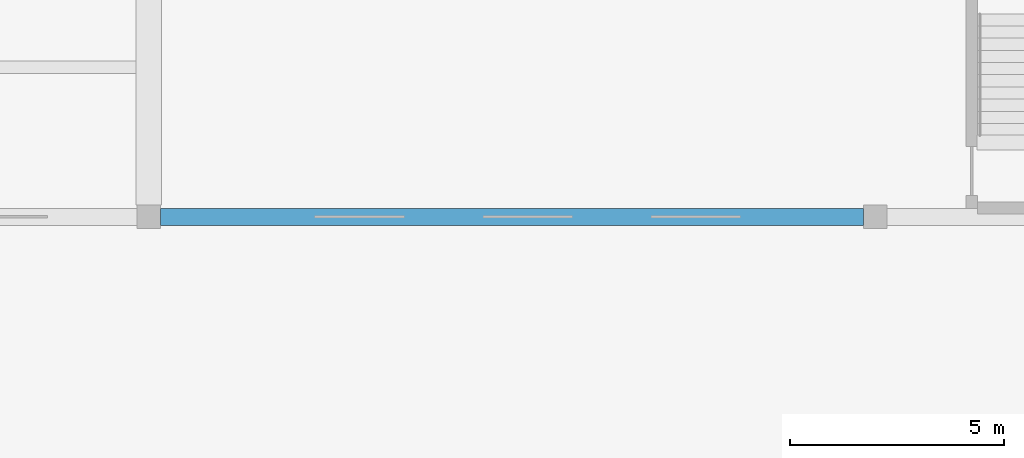
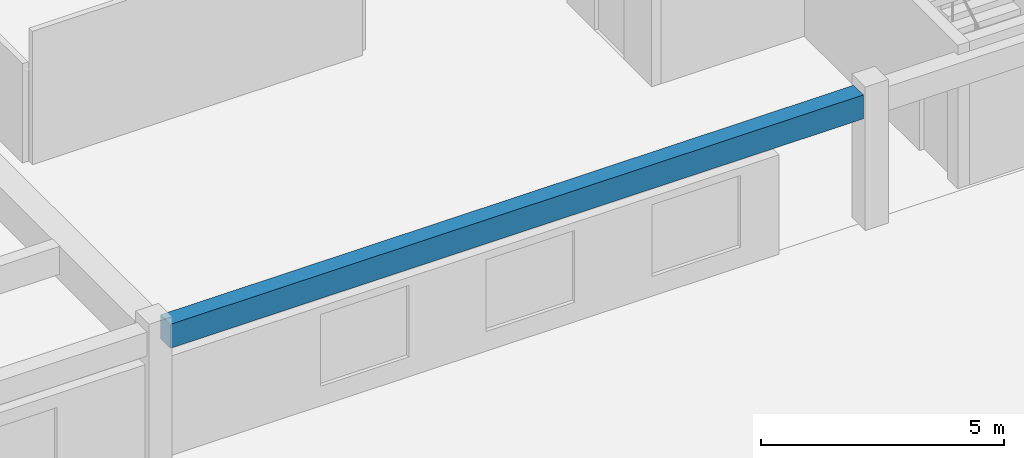
# One storey, part 3 of 23: 1 beam.
"""IFC4 building model written with IfcOpenShell, lengths in metres."""

from ifc_helpers import new_model, si_unit, direction, frame, origin, origin_2d, place, context, subcontext, project, spatial, rectangle, extrude, material, material_profile, profile_set, type_object, element, save


model = new_model("IFC4")

# Units and contexts
model_context = context("Model", 3, precision=1e-05, world=origin(), true_north=direction((0.0, 1.0)))
body_context = subcontext(model_context, "Body", "Model", "MODEL_VIEW")
ifc_project = project(units=[si_unit("LENGTHUNIT", "METRE"), si_unit("AREAUNIT", "SQUARE_METRE"), si_unit("VOLUMEUNIT", "CUBIC_METRE"), si_unit("PLANEANGLEUNIT", "RADIAN"), si_unit("MASSUNIT", "GRAM", prefix="KILO")], contexts=[model_context])

# Site, building, storey
site_placement = place(None, origin())
site = spatial("IfcSite", under=ifc_project, at=site_placement, CompositionType="ELEMENT")
building_placement = place(site_placement, origin())
building = spatial("IfcBuilding", under=site, at=building_placement, Name="Larkveld Mobility Hub", CompositionType="ELEMENT")
storey_placement = place(building_placement, frame((0.0, 0.0, 19.199951171875)))
storey = spatial("IfcBuildingStorey", under=building, at=storey_placement, Name="L05", CompositionType="ELEMENT", Elevation=19.199951171875)

# Beam
ifc_material = material(Name="Concrete C40/50", Category="concrete")
ifc_material_profile = material_profile(ifc_material, rectangle(XDim=0.39990234375, YDim=0.60009765625, at=origin_2d()), Name="RC BM 400x600")
ifc_profile_set = profile_set([ifc_material_profile], Name="Concrete C40/50")
beam_type = type_object("IfcBeamType", Name="BM-RC4060", PredefinedType="BEAM", material=ifc_profile_set)
beam_placement = place(storey_placement, frame((129.27490234375, 28.0, 3.06005859375), z_axis=(1.0, 0.0, 0.0), x_axis=(0.0, 1.0, 0.0)))
element("IfcBeam", 1, at=beam_placement, inside=storey, type_object=beam_type, Name="Primary E-W Girder L05-0945", PredefinedType="BEAM", context=body_context, shape_type="SweptSolid", body=[
    extrude(rectangle(XDim=0.39990234375, YDim=0.60009765625, at=origin_2d()), origin(), (0.0, 0.0, 1.0), 16.4501953125),
])

save(model, "model.ifc")
